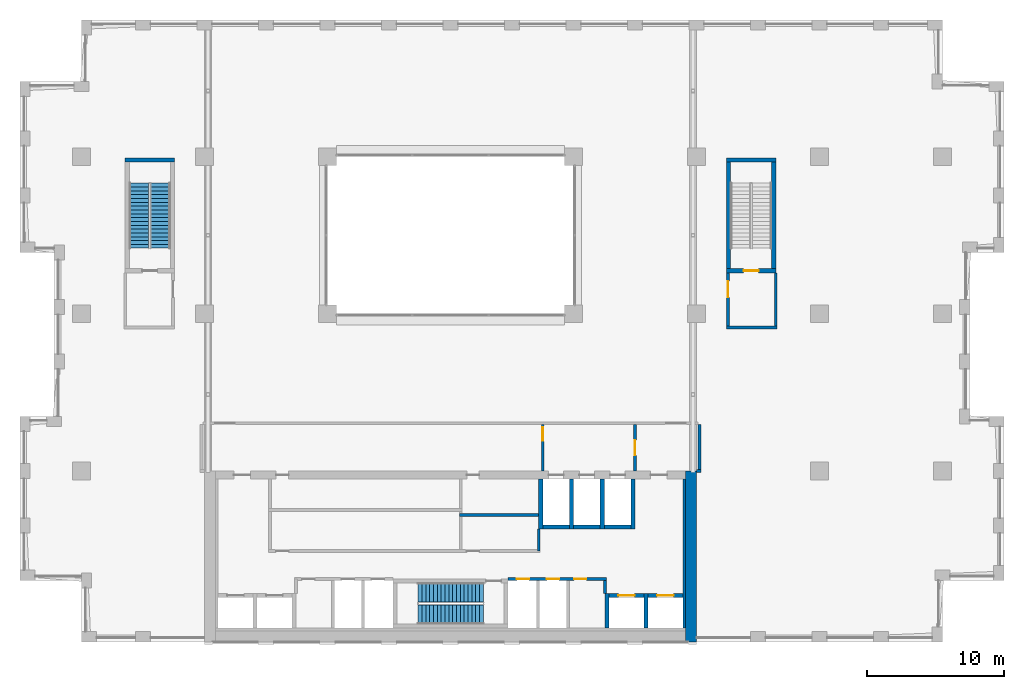
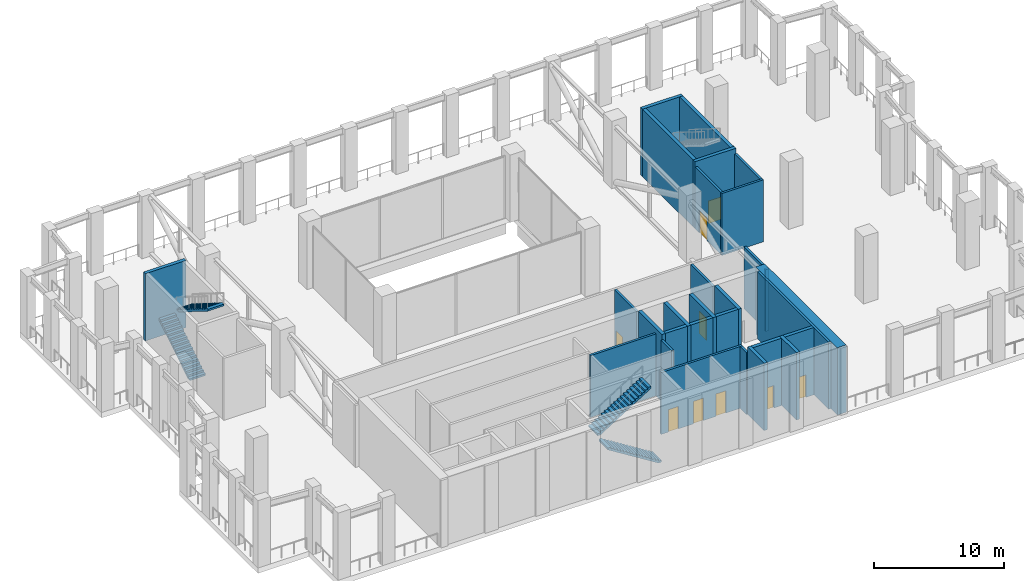
# One storey, part 11 of 14: 29 walls, 9 doors, 4 stair flights, 9 openings, 2 elements without a shape of their own.
"""IFC4 building model written with IfcOpenShell, lengths in metres."""

import ifcopenshell
import ifcopenshell.guid

model = None  # the IFC model being written
_history = None  # IfcOwnerHistory: only IFC2X3 demands one
_inside = {}  # id of a spatial element -> (the spatial element, [elements in it])
_under = {}  # id of a project, library or spatial element -> (it, [spatial elements below it])
_declared = {}  # id of a project -> (the project, [libraries it declares])
_typed = {}  # id of a type object -> (the type object, [elements of that type])
_made_of = {}  # id of a material, layer set ... -> (it, [elements and type objects made of it])


def new_model(schema):
    """Start an empty IFC model of exactly this schema.

    Asked for "IFC4X3", IfcOpenShell would pick the latest addendum, in which some entities
    have other attributes; the version numbers below select the first issue.
    IFC2X3 requires an IfcOwnerHistory on every rooted entity: one is made here for all.
    """
    global model, _history
    if schema == "IFC4X3":
        model = ifcopenshell.file(schema_version=(4, 3, 0, 0))
    else:
        model = ifcopenshell.file(schema=schema)
    _inside.clear()
    _under.clear()
    _declared.clear()
    _typed.clear()
    _made_of.clear()
    _history = None
    if model.schema == "IFC2X3":
        org = make("IfcOrganization", Name="unknown")
        user = make(
            "IfcPersonAndOrganization",
            ThePerson=make("IfcPerson", FamilyName="unknown"),
            TheOrganization=org,
        )
        app = make(
            "IfcApplication",
            ApplicationDeveloper=org,
            Version="unknown",
            ApplicationFullName="unknown",
            ApplicationIdentifier="unknown",
        )
        _history = make(
            "IfcOwnerHistory",
            OwningUser=user,
            OwningApplication=app,
            ChangeAction="ADDED",
            CreationDate=0,
        )
    return model


def make(cls, **values):
    """One entity of the class cls with the attributes given. An attribute that is None is left unset."""
    return model.create_entity(
        cls, **{name: value for name, value in values.items() if value is not None}
    )


def rooted(cls, **values):
    """An entity with a GlobalId (a new one), such as an element, a storey or a relation."""
    return make(cls, GlobalId=ifcopenshell.guid.new(), OwnerHistory=_history, **values)


def si_unit(unit_type, name, prefix=None):
    """IfcSIUnit, for example si_unit("LENGTHUNIT", "METRE", prefix="MILLI")."""
    return make("IfcSIUnit", UnitType=unit_type, Prefix=prefix, Name=name)


def assignment(units):
    """IfcUnitAssignment: the units of a project."""
    return None if units is None else make("IfcUnitAssignment", Units=units)


def point(xyz):
    """IfcCartesianPoint."""
    return None if xyz is None else make("IfcCartesianPoint", Coordinates=xyz)


def direction(xyz):
    """IfcDirection."""
    return None if xyz is None else make("IfcDirection", DirectionRatios=xyz)


def frame(location, z_axis=None, x_axis=None):
    """IfcAxis2Placement3D, a coordinate frame: its origin and axes. An axis left out is left unset."""
    return make(
        "IfcAxis2Placement3D",
        Location=point(location),
        Axis=direction(z_axis),
        RefDirection=direction(x_axis),
    )


def frame_2d(location, x_axis=None):
    """IfcAxis2Placement2D, a coordinate frame in the plane: its origin and x axis."""
    return make(
        "IfcAxis2Placement2D", Location=point(location), RefDirection=direction(x_axis)
    )


def origin():
    """The frame at (0, 0, 0) with its axes left unset."""
    return frame((0.0, 0.0, 0.0))


def place(relative_to, where):
    """IfcLocalPlacement: puts the frame where relative to a parent placement (None: the world)."""
    return make(
        "IfcLocalPlacement", PlacementRelTo=relative_to, RelativePlacement=where
    )


def context(
    kind, dimensions, precision=None, world=None, true_north=None, identifier=None
):
    """IfcGeometricRepresentationContext, for example the 3D "Model" context."""
    return make(
        "IfcGeometricRepresentationContext",
        ContextIdentifier=identifier,
        ContextType=kind,
        CoordinateSpaceDimension=dimensions,
        Precision=precision,
        WorldCoordinateSystem=world,
        TrueNorth=true_north,
    )


def subcontext(parent, identifier, kind, view, scale=None):
    """IfcGeometricRepresentationSubContext, for example "Body" below "Model"."""
    return make(
        "IfcGeometricRepresentationSubContext",
        ContextIdentifier=identifier,
        ContextType=kind,
        ParentContext=parent,
        TargetScale=scale,
        TargetView=view,
    )


def project(units=None, contexts=None):
    """IfcProject with its units and contexts."""
    return rooted(
        "IfcProject",
        Name="project",
        RepresentationContexts=contexts,
        UnitsInContext=assignment(units),
    )


def spatial(cls, under=None, at=None, **own):
    """A site, building, storey or space (cls), placed at a placement, below another one or the project."""
    s = rooted(cls, ObjectPlacement=at, **own)
    if under is not None:
        _under.setdefault(under.id(), (under, []))[1].append(s)
    return s


def polyline(points):
    """IfcPolyline through the points."""
    return make("IfcPolyline", Points=[point(p) for p in points])


def profile(cls, at=None, kind="AREA", **sizes):
    """A parametric profile (cls). Its sizes go by their IFC names, for example OverallWidth=200.0."""
    return make(cls, ProfileType=kind, Position=at, **sizes)


def rectangle(**sizes):
    """IfcRectangleProfileDef."""
    return profile("IfcRectangleProfileDef", **sizes)


def outline(outer, holes=None, kind="AREA"):
    """IfcArbitraryClosedProfileDef: a profile drawn as a closed curve; with holes, ...WithVoids."""
    if holes is None:
        return make("IfcArbitraryClosedProfileDef", ProfileType=kind, OuterCurve=outer)
    return make(
        "IfcArbitraryProfileDefWithVoids",
        ProfileType=kind,
        OuterCurve=outer,
        InnerCurves=holes,
    )


def extrude(swept, where, along, depth):
    """IfcExtrudedAreaSolid: the profile swept, set in the frame where, extruded along a direction by depth."""
    return make(
        "IfcExtrudedAreaSolid",
        SweptArea=swept,
        Position=where,
        ExtrudedDirection=direction(along),
        Depth=depth,
    )


def shape(context_of_items, identifier, shape_type, items):
    """IfcShapeRepresentation: the items that make up one representation, for example the "Body"."""
    return make(
        "IfcShapeRepresentation",
        ContextOfItems=context_of_items,
        RepresentationIdentifier=identifier,
        RepresentationType=shape_type,
        Items=items,
    )


def material(Name=None, Category=None):
    """IfcMaterial."""
    return make("IfcMaterial", Name=Name, Category=Category)


def layer(
    of_material, thickness, ventilated=None, Name=None, Category=None, Priority=None
):
    """IfcMaterialLayer: one layer of a wall or slab, of a material (None: an air gap)."""
    return make(
        "IfcMaterialLayer",
        Material=of_material,
        LayerThickness=thickness,
        IsVentilated=ventilated,
        Name=Name,
        Category=Category,
        Priority=Priority,
    )


def layer_set(layers, Name=None):
    """IfcMaterialLayerSet."""
    return make("IfcMaterialLayerSet", MaterialLayers=layers, LayerSetName=Name)


def made_of(thing, what):
    """Note that an element or type object is made of a material, layer set ...; save() writes the relation."""
    if what is not None:
        _made_of.setdefault(what.id(), (what, []))[1].append(thing)
    return thing


def type_object(cls, material=None, **own):
    """A type object (cls), such as IfcWallType, which elements share."""
    return made_of(rooted(cls, **own), material)


def element(
    cls,
    number,
    at=None,
    inside=None,
    cuts=None,
    type_object=None,
    material=None,
    context=None,
    identifier="Body",
    shape_type=None,
    held_by="IfcProductDefinitionShape",
    body=None,
    shapes=None,
    **own,
):
    """One element of the class cls, such as IfcWall. Its Tag is "e" and its number.

    at: its placement. inside: the storey or other place that contains it. cuts: it is an
    opening in that element (IfcRelVoidsElement). A single representation is given by context,
    identifier, shape_type and body (its items); several are given by shapes. held_by: the class
    of the entity that holds the representations. save() writes the other relations.
    """
    e = rooted(cls, Tag="e%d" % number, ObjectPlacement=at, **own)
    if body is not None:
        shapes = [shape(context, identifier, shape_type, body)]
    if shapes is not None:
        e.Representation = make(held_by, Representations=shapes)
    if inside is not None:
        _inside.setdefault(inside.id(), (inside, []))[1].append(e)
    if cuts is not None:
        rooted(
            "IfcRelVoidsElement", RelatingBuildingElement=cuts, RelatedOpeningElement=e
        )
    if type_object is not None:
        _typed.setdefault(type_object.id(), (type_object, []))[1].append(e)
    return made_of(e, material)


def fill(opening, filler):
    """IfcRelFillsElement: the door or window that sits in an opening."""
    return rooted(
        "IfcRelFillsElement",
        RelatingOpeningElement=opening,
        RelatedBuildingElement=filler,
    )


def aggregate(whole, parts):
    """IfcRelAggregates: a whole, such as a stair, and the parts it consists of."""
    return rooted("IfcRelAggregates", RelatingObject=whole, RelatedObjects=parts)


def save(model, path):
    """Write the relations noted so far, then the file.

    IfcRelAggregates (storeys below a building ...), IfcRelContainedInSpatialStructure (elements
    in a storey), IfcRelDefinesByType, IfcRelAssociatesMaterial and IfcRelDeclares: one each for
    every whole, place, type object, material and project.
    """
    for whole, parts in _under.values():
        aggregate(whole, parts)
    for where, things in _inside.values():
        rooted(
            "IfcRelContainedInSpatialStructure",
            RelatedElements=things,
            RelatingStructure=where,
        )
    for kind, things in _typed.values():
        rooted("IfcRelDefinesByType", RelatedObjects=things, RelatingType=kind)
    for what, things in _made_of.values():
        rooted("IfcRelAssociatesMaterial", RelatedObjects=things, RelatingMaterial=what)
    for by, libraries in _declared.values():
        rooted("IfcRelDeclares", RelatingContext=by, RelatedDefinitions=libraries)
    model.write(path)


model = new_model("IFC4")

# Units and contexts
model_context = context("Model", 3, precision=1e-05, world=origin(), true_north=direction((0.0, 1.0)))
body_context = subcontext(model_context, "Body", "Model", "MODEL_VIEW")
ifc_project = project(units=[si_unit("LENGTHUNIT", "METRE"), si_unit("AREAUNIT", "SQUARE_METRE"), si_unit("VOLUMEUNIT", "CUBIC_METRE"), si_unit("PLANEANGLEUNIT", "RADIAN"), si_unit("MASSUNIT", "GRAM", prefix="KILO")], contexts=[model_context])

# Site, building, storey
site_placement = place(None, origin())
site = spatial("IfcSite", under=ifc_project, at=site_placement, CompositionType="ELEMENT")
building_placement = place(site_placement, origin())
building = spatial("IfcBuilding", under=site, at=building_placement, Name="Brigalow Station Residences", CompositionType="ELEMENT")
storey_placement = place(building_placement, frame((0.0, 0.0, 130.800048828125)))
storey = spatial("IfcBuildingStorey", under=building, at=storey_placement, Name="L38", CompositionType="ELEMENT", Elevation=130.800048828125)

# Walls
ifc_material_1 = material(Name="Concrete C65", Category="concrete")
ifc_layer_1 = layer(ifc_material_1, 0.199951171875)
ifc_layer_set_1 = layer_set([ifc_layer_1], Name="CORE SHEAR WALL 200 C65")
wall_type_1 = type_object("IfcWallType", Name="CORE SHEAR WALL 200 C65", PredefinedType="SHEAR", material=ifc_layer_set_1)
wall_1_placement = place(storey_placement, frame((53.10009765625, 1.0, 0.0), z_axis=(0.0, 0.0, 1.0), x_axis=(0.0, 1.0, 0.0)))
element("IfcWall", 1, at=wall_1_placement, inside=storey, type_object=wall_type_1, Name="CORE WALL LIN-E L38", PredefinedType="SHEAR", context=body_context, shape_type="SweptSolid", body=[
    extrude(rectangle(XDim=10.89990234375, YDim=0.199951171875, at=frame_2d((5.449951171875, 0.0))), origin(), (0.0, 0.0, 1.0), 6.300048828125),
])
ifc_material_2 = material(Name="Concrete C65", Category="concrete")
ifc_layer_2 = layer(ifc_material_2, 0.300048828125)
ifc_layer_set_2 = layer_set([ifc_layer_2], Name="CORE SHEAR WALL 300 C65")
wall_type_2 = type_object("IfcWallType", Name="CORE SHEAR WALL 300 C65", PredefinedType="SHEAR", material=ifc_layer_set_2)
wall_2_placement = place(storey_placement, frame((42.75, 8.39990234375, 0.0), z_axis=(0.0, 0.0, 1.0), x_axis=(1.0, 0.0, 0.0)))
element("IfcWall", 2, at=wall_2_placement, inside=storey, type_object=wall_type_2, Name="CORE WALL SH-FF1-S L38", PredefinedType="SHEAR", context=body_context, shape_type="SweptSolid", body=[
    extrude(rectangle(XDim=1.949951171875, YDim=0.300048828125, at=frame_2d((0.97509765625, 0.0))), origin(), (0.0, 0.0, 1.0), 6.300048828125),
])
wall_3_placement = place(storey_placement, frame((42.60009765625, 8.25, 0.0), z_axis=(0.0, 0.0, 1.0), x_axis=(0.0, 1.0, 0.0)))
element("IfcWall", 3, at=wall_3_placement, inside=storey, type_object=wall_type_2, Name="CORE WALL SH-FF1-W L38", PredefinedType="SHEAR", context=body_context, shape_type="SweptSolid", body=[
    extrude(rectangle(XDim=3.64990234375, YDim=0.300048828125, at=frame_2d((1.824951171875, 0.0))), origin(), (0.0, 0.0, 1.0), 6.300048828125),
])
wall_4_placement = place(storey_placement, frame((45.0, 8.39990234375, 0.0), z_axis=(0.0, 0.0, 1.0), x_axis=(1.0, 0.0, 0.0)))
element("IfcWall", 4, at=wall_4_placement, inside=storey, type_object=wall_type_2, Name="CORE WALL SH-FF2-S L38", PredefinedType="SHEAR", context=body_context, shape_type="SweptSolid", body=[
    extrude(rectangle(XDim=1.949951171875, YDim=0.300048828125, at=frame_2d((0.97509765625, 0.0))), origin(), (0.0, 0.0, 1.0), 6.300048828125),
])
wall_5_placement = place(storey_placement, frame((44.85009765625, 8.25, 0.0), z_axis=(0.0, 0.0, 1.0), x_axis=(0.0, 1.0, 0.0)))
element("IfcWall", 5, at=wall_5_placement, inside=storey, type_object=wall_type_2, Name="CORE WALL SH-FF2-W L38", PredefinedType="SHEAR", context=body_context, shape_type="SweptSolid", body=[
    extrude(rectangle(XDim=3.64990234375, YDim=0.300048828125, at=frame_2d((1.824951171875, 0.0))), origin(), (0.0, 0.0, 1.0), 6.300048828125),
])
wall_6_placement = place(storey_placement, frame((47.25, 8.39990234375, 0.0), z_axis=(0.0, 0.0, 1.0), x_axis=(1.0, 0.0, 0.0)))
element("IfcWall", 6, at=wall_6_placement, inside=storey, type_object=wall_type_2, Name="CORE WALL SH-SL1-S L38", PredefinedType="SHEAR", context=body_context, shape_type="SweptSolid", body=[
    extrude(rectangle(XDim=1.949951171875, YDim=0.300048828125, at=frame_2d((0.97509765625, 0.0))), origin(), (0.0, 0.0, 1.0), 6.300048828125),
])
for number, where, z_axis, x_axis, name in (
    (7, (47.10009765625, 8.25, 0.0), (0.0, 0.0, 1.0), (0.0, 1.0, 0.0), "CORE WALL SH-SL1-W L38"),
    (8, (49.35009765625, 8.25, 0.0), (0.0, 0.0, 1.0), (0.0, 1.0, 0.0), "CORE WALL SH-SL1-E L38"),
):
    element("IfcWall", number, at=place(storey_placement, frame(where, z_axis=z_axis, x_axis=x_axis)), inside=storey, type_object=wall_type_2, Name=name, PredefinedType="SHEAR", context=body_context, shape_type="SweptSolid", body=[
        extrude(rectangle(XDim=3.64990234375, YDim=0.300048828125, at=frame_2d((1.824951171875, 0.0))), origin(), (0.0, 0.0, 1.0), 6.300048828125),
    ])

# Wall, opening, door
wall_7_placement = place(storey_placement, frame((47.60009765625, 3.39990234375, 0.0), z_axis=(0.0, 0.0, 1.0), x_axis=(1.0, 0.0, 0.0)))
wall_7 = element("IfcWall", 9, at=wall_7_placement, inside=storey, type_object=wall_type_2, Name="CORE WALL SH-C3-N L38", PredefinedType="SHEAR", context=body_context, shape_type="SweptSolid", body=[
    extrude(rectangle(XDim=2.5498046875, YDim=0.300048828125, at=frame_2d((1.27490234375, 0.0))), origin(), (0.0, 0.0, 1.0), 6.300048828125),
])
opening_1_placement = place(wall_7_placement, frame((0.675048828125, 0.0, 0.0)))
opening_1 = element("IfcOpeningElement", 10, at=opening_1_placement, cuts=wall_7, Name="Opening LD-LB3", PredefinedType="OPENING", context=body_context, shape_type="SweptSolid", body=[
    extrude(rectangle(XDim=1.199951171875, YDim=2.10009765625, at=frame_2d((0.60009765625, 1.050048828125))), frame((0.0, 0.16015625, 0.0), z_axis=(0.0, -1.0, 0.0), x_axis=(1.0, 0.0, 0.0)), (0.0, 0.0, 1.0), 0.320068359375),
])
ifc_material_3 = material(Name="Stainless steel sliding door leaves", Category="steel")
door_type_1 = type_object("IfcDoorType", Name="LIFT LANDING DOOR 1200 x 2100", OperationType="DOUBLE_DOOR_SLIDING", PredefinedType="DOOR", material=ifc_material_3)
door_1_placement = place(opening_1_placement, origin())
door_1 = element("IfcDoor", 11, at=door_1_placement, inside=storey, type_object=door_type_1, Name="LANDING DOOR LB3", OperationType="DOUBLE_DOOR_SLIDING", OverallHeight=2.10009765625, OverallWidth=1.199951171875, PredefinedType="DOOR", context=body_context, shape_type="SweptSolid", body=[
    extrude(rectangle(XDim=1.199951171875, YDim=2.10009765625, at=frame_2d((0.60009765625, 1.050048828125))), frame((0.0, 0.02490234375, 0.0), z_axis=(0.0, -1.0, 0.0), x_axis=(1.0, 0.0, 0.0)), (0.0, 0.0, 1.0), 0.050048828125),
])
fill(opening_1, door_1)

# Wall
wall_8_placement = place(storey_placement, frame((47.449951171875, 1.0, 0.0), z_axis=(0.0, 0.0, 1.0), x_axis=(0.0, 1.0, 0.0)))
element("IfcWall", 12, at=wall_8_placement, inside=storey, type_object=wall_type_2, Name="CORE WALL SH-C3-W L38", PredefinedType="SHEAR", context=body_context, shape_type="SweptSolid", body=[
    extrude(rectangle(XDim=2.550048828125, YDim=0.300048828125, at=frame_2d((1.27490234375, 0.0))), origin(), (0.0, 0.0, 1.0), 6.300048828125),
])

# Wall, opening, door
wall_9_placement = place(storey_placement, frame((50.449951171875, 3.39990234375, 0.0), z_axis=(0.0, 0.0, 1.0), x_axis=(1.0, 0.0, 0.0)))
wall_9 = element("IfcWall", 13, at=wall_9_placement, inside=storey, type_object=wall_type_2, Name="CORE WALL SH-C4-N L38", PredefinedType="SHEAR", context=body_context, shape_type="SweptSolid", body=[
    extrude(rectangle(XDim=2.550048828125, YDim=0.300048828125, at=frame_2d((1.27490234375, 0.0))), origin(), (0.0, 0.0, 1.0), 6.300048828125),
])
opening_2_placement = place(wall_9_placement, frame((0.675048828125, 0.0, 0.0)))
opening_2 = element("IfcOpeningElement", 14, at=opening_2_placement, cuts=wall_9, Name="Opening LD-LB4", PredefinedType="OPENING", context=body_context, shape_type="SweptSolid", body=[
    extrude(rectangle(XDim=1.199951171875, YDim=2.10009765625, at=frame_2d((0.60009765625, 1.050048828125))), frame((0.0, 0.16015625, 0.0), z_axis=(0.0, -1.0, 0.0), x_axis=(1.0, 0.0, 0.0)), (0.0, 0.0, 1.0), 0.320068359375),
])
door_2_placement = place(opening_2_placement, origin())
door_2 = element("IfcDoor", 15, at=door_2_placement, inside=storey, type_object=door_type_1, Name="LANDING DOOR LB4", OperationType="DOUBLE_DOOR_SLIDING", OverallHeight=2.10009765625, OverallWidth=1.199951171875, PredefinedType="DOOR", context=body_context, shape_type="SweptSolid", body=[
    extrude(rectangle(XDim=1.199951171875, YDim=2.10009765625, at=frame_2d((0.60009765625, 1.050048828125))), frame((0.0, 0.02490234375, 0.0), z_axis=(0.0, -1.0, 0.0), x_axis=(1.0, 0.0, 0.0)), (0.0, 0.0, 1.0), 0.050048828125),
])
fill(opening_2, door_2)

# Walls
wall_10_placement = place(storey_placement, frame((50.300048828125, 1.0, 0.0), z_axis=(0.0, 0.0, 1.0), x_axis=(0.0, 1.0, 0.0)))
element("IfcWall", 16, at=wall_10_placement, inside=storey, type_object=wall_type_2, Name="CORE WALL SH-C4-W L38", PredefinedType="SHEAR", context=body_context, shape_type="SweptSolid", body=[
    extrude(rectangle(XDim=2.550048828125, YDim=0.300048828125, at=frame_2d((1.27490234375, 0.0))), origin(), (0.0, 0.0, 1.0), 6.300048828125),
])
wall_11_placement = place(storey_placement, frame((12.199951171875, 35.25, 0.0), z_axis=(0.0, 0.0, 1.0), x_axis=(1.0, 0.0, 0.0)))
element("IfcWall", 17, at=wall_11_placement, inside=storey, type_object=wall_type_2, Name="CORE WALL ST-S1-N L38", PredefinedType="SHEAR", context=body_context, shape_type="SweptSolid", body=[
    extrude(rectangle(XDim=3.60009765625, YDim=0.300048828125, at=frame_2d((1.800048828125, 0.0))), origin(), (0.0, 0.0, 1.0), 6.300048828125),
])

# Wall, opening, door
wall_12_placement = place(storey_placement, frame((56.199951171875, 27.14990234375, 0.0), z_axis=(0.0, 0.0, 1.0), x_axis=(1.0, 0.0, 0.0)))
wall_12 = element("IfcWall", 18, at=wall_12_placement, inside=storey, type_object=wall_type_2, Name="CORE WALL ST-S3-S L38", PredefinedType="SHEAR", context=body_context, shape_type="SweptSolid", body=[
    extrude(rectangle(XDim=3.60009765625, YDim=0.300048828125, at=frame_2d((1.800048828125, 0.0))), origin(), (0.0, 0.0, 1.0), 6.300048828125),
])
opening_3_placement = place(wall_12_placement, frame((1.25, 0.0, 0.0)))
opening_3 = element("IfcOpeningElement", 19, at=opening_3_placement, cuts=wall_12, Name="Opening D-5018", PredefinedType="OPENING", context=body_context, shape_type="SweptSolid", body=[
    extrude(rectangle(XDim=1.10009765625, YDim=2.10009765625, at=frame_2d((0.550048828125, 1.050048828125))), frame((0.0, 0.16015625, 0.0), z_axis=(0.0, -1.0, 0.0), x_axis=(1.0, 0.0, 0.0)), (0.0, 0.0, 1.0), 0.320068359375),
])
ifc_material_4 = material(Name="Steel fire door leaf in steel frame", Category="steel")
door_type_2 = type_object("IfcDoorType", Name="STAIR DOOR 1100 x 2100 FD60S", OperationType="SINGLE_SWING_LEFT", PredefinedType="DOOR", material=ifc_material_4)
door_3_placement = place(opening_3_placement, origin())
door_3 = element("IfcDoor", 20, at=door_3_placement, inside=storey, type_object=door_type_2, Name="D-5018", OperationType="SINGLE_SWING_LEFT", OverallHeight=2.10009765625, OverallWidth=1.10009765625, PredefinedType="DOOR", context=body_context, shape_type="SweptSolid", body=[
    extrude(rectangle(XDim=1.10009765625, YDim=2.10009765625, at=frame_2d((0.550048828125, 1.050048828125))), frame((0.0, 0.02490234375, 0.0), z_axis=(0.0, -1.0, 0.0), x_axis=(1.0, 0.0, 0.0)), (0.0, 0.0, 1.0), 0.050048828125),
])
fill(opening_3, door_3)

# Walls
wall_13_placement = place(storey_placement, frame((56.199951171875, 35.25, 0.0), z_axis=(0.0, 0.0, 1.0), x_axis=(1.0, 0.0, 0.0)))
element("IfcWall", 21, at=wall_13_placement, inside=storey, type_object=wall_type_2, Name="CORE WALL ST-S3-N L38", PredefinedType="SHEAR", context=body_context, shape_type="SweptSolid", body=[
    extrude(rectangle(XDim=3.60009765625, YDim=0.300048828125, at=frame_2d((1.800048828125, 0.0))), origin(), (0.0, 0.0, 1.0), 6.300048828125),
])
for number, where, z_axis, x_axis, name in (
    (22, (56.35009765625, 27.300048828125, 0.0), (0.0, 0.0, 1.0), (0.0, 1.0, 0.0), "CORE WALL ST-S3-W L38"),
    (23, (59.64990234375, 27.300048828125, 0.0), (0.0, 0.0, 1.0), (0.0, 1.0, 0.0), "CORE WALL ST-S3-E L38"),
):
    element("IfcWall", number, at=place(storey_placement, frame(where, z_axis=z_axis, x_axis=x_axis)), inside=storey, type_object=wall_type_2, Name=name, PredefinedType="SHEAR", context=body_context, shape_type="SweptSolid", body=[
        extrude(rectangle(XDim=7.800048828125, YDim=0.300048828125, at=frame_2d((3.89990234375, 0.0))), origin(), (0.0, 0.0, 1.0), 6.300048828125),
    ])
ifc_material_5 = material(Name="Concrete C65", Category="concrete")
ifc_layer_3 = layer(ifc_material_5, 0.800048828125)
ifc_layer_set_3 = layer_set([ifc_layer_3], Name="CORE SHEAR WALL 800 C65")
wall_type_3 = type_object("IfcWallType", Name="CORE SHEAR WALL 800 C65", PredefinedType="SHEAR", material=ifc_layer_set_3)
wall_14_placement = place(storey_placement, frame((53.60009765625, 0.0, 0.0), z_axis=(0.0, 0.0, 1.0), x_axis=(0.0, 1.0, 0.0)))
element("IfcWall", 24, at=wall_14_placement, inside=storey, type_object=wall_type_3, Name="CORE WALL OUT-E L38", PredefinedType="SHEAR", context=body_context, shape_type="SweptSolid", body=[
    extrude(rectangle(XDim=12.5, YDim=0.800048828125, at=frame_2d((6.25, 0.0))), origin(), (0.0, 0.0, 1.0), 6.300048828125),
])

# Wall, openings, doors
ifc_material_6 = material(Name="Concrete blockwork", Category="masonry")
ifc_layer_4 = layer(ifc_material_6, 0.199951171875)
ifc_layer_set_4 = layer_set([ifc_layer_4], Name="FIRE RATED CORE PARTITION 200")
wall_type_4 = type_object("IfcWallType", Name="FIRE RATED CORE PARTITION 200", PredefinedType="PARTITIONING", material=ifc_layer_set_4)
wall_15_placement = place(storey_placement, frame((40.199951171875, 4.60009765625, 0.0), z_axis=(0.0, 0.0, 1.0), x_axis=(1.0, 0.0, 0.0)))
wall_15 = element("IfcWall", 25, at=wall_15_placement, inside=storey, type_object=wall_type_4, Name="PW-5244", PredefinedType="PARTITIONING", context=body_context, shape_type="SweptSolid", body=[
    extrude(rectangle(XDim=7.199951171875, YDim=0.199951171875, at=frame_2d((3.60009765625, 0.0))), origin(), (0.0, 0.0, 1.0), 5.800048828125),
])
opening_4_placement = place(wall_15_placement, frame((4.85009765625, 0.0, 0.0)))
opening_4 = element("IfcOpeningElement", 26, at=opening_4_placement, cuts=wall_15, Name="Opening D-5005", PredefinedType="OPENING", context=body_context, shape_type="SweptSolid", body=[
    extrude(rectangle(XDim=0.89990234375, YDim=2.10009765625, at=frame_2d((0.449951171875, 1.050048828125))), frame((0.0, 0.10986328125, 0.0), z_axis=(0.0, -1.0, 0.0), x_axis=(1.0, 0.0, 0.0)), (0.0, 0.0, 1.0), 0.219970703125),
])
opening_5_placement = place(wall_15_placement, frame((0.64990234375, 0.0, 0.0)))
opening_5 = element("IfcOpeningElement", 27, at=opening_5_placement, cuts=wall_15, Name="Opening D-5009", PredefinedType="OPENING", context=body_context, shape_type="SweptSolid", body=[
    extrude(rectangle(XDim=0.89990234375, YDim=2.10009765625, at=frame_2d((0.449951171875, 1.050048828125))), frame((0.0, 0.10986328125, 0.0), z_axis=(0.0, -1.0, 0.0), x_axis=(1.0, 0.0, 0.0)), (0.0, 0.0, 1.0), 0.219970703125),
])
opening_6_placement = place(wall_15_placement, frame((2.85009765625, 0.0, 0.0)))
opening_6 = element("IfcOpeningElement", 28, at=opening_6_placement, cuts=wall_15, Name="Opening D-5010", PredefinedType="OPENING", context=body_context, shape_type="SweptSolid", body=[
    extrude(rectangle(XDim=0.89990234375, YDim=2.10009765625, at=frame_2d((0.449951171875, 1.050048828125))), frame((0.0, 0.10986328125, 0.0), z_axis=(0.0, -1.0, 0.0), x_axis=(1.0, 0.0, 0.0)), (0.0, 0.0, 1.0), 0.219970703125),
])
ifc_material_7 = material(Name="Steel fire door leaf in steel frame", Category="steel")
door_type_3 = type_object("IfcDoorType", Name="PLANT ROOM DOOR 900 x 2100 FD60", OperationType="SINGLE_SWING_LEFT", PredefinedType="DOOR", material=ifc_material_7)
door_4_placement = place(opening_4_placement, frame((0.89990234375, 0.0, 0.0), z_axis=(0.0, 0.0, 1.0), x_axis=(-1.0, 0.0, 0.0)))
door_4 = element("IfcDoor", 29, at=door_4_placement, inside=storey, type_object=door_type_3, Name="D-5005", OperationType="SINGLE_SWING_RIGHT", OverallHeight=2.10009765625, OverallWidth=0.89990234375, PredefinedType="DOOR", context=body_context, shape_type="SweptSolid", body=[
    extrude(rectangle(XDim=0.89990234375, YDim=2.10009765625, at=frame_2d((0.449951171875, 1.050048828125))), frame((0.0, 0.02490234375, 0.0), z_axis=(0.0, -1.0, 0.0), x_axis=(1.0, 0.0, 0.0)), (0.0, 0.0, 1.0), 0.050048828125),
])
fill(opening_4, door_4)
ifc_material_8 = material(Name="Steel fire door leaf in steel frame", Category="steel")
door_type_4 = type_object("IfcDoorType", Name="RISER ACCESS DOOR 900 x 2100 FD120", OperationType="SINGLE_SWING_LEFT", PredefinedType="DOOR", material=ifc_material_8)
door_5_placement = place(opening_5_placement, frame((0.89990234375, 0.0, 0.0), z_axis=(0.0, 0.0, 1.0), x_axis=(-1.0, 0.0, 0.0)))
door_5 = element("IfcDoor", 30, at=door_5_placement, inside=storey, type_object=door_type_4, Name="D-5009", OperationType="SINGLE_SWING_LEFT", OverallHeight=2.10009765625, OverallWidth=0.89990234375, PredefinedType="DOOR", context=body_context, shape_type="SweptSolid", body=[
    extrude(rectangle(XDim=0.89990234375, YDim=2.10009765625, at=frame_2d((0.449951171875, 1.050048828125))), frame((0.0, 0.02490234375, 0.0), z_axis=(0.0, -1.0, 0.0), x_axis=(1.0, 0.0, 0.0)), (0.0, 0.0, 1.0), 0.050048828125),
])
fill(opening_5, door_5)
door_6_placement = place(opening_6_placement, frame((0.89990234375, 0.0, 0.0), z_axis=(0.0, 0.0, 1.0), x_axis=(-1.0, 0.0, 0.0)))
door_6 = element("IfcDoor", 31, at=door_6_placement, inside=storey, type_object=door_type_4, Name="D-5010", OperationType="SINGLE_SWING_RIGHT", OverallHeight=2.10009765625, OverallWidth=0.89990234375, PredefinedType="DOOR", context=body_context, shape_type="SweptSolid", body=[
    extrude(rectangle(XDim=0.89990234375, YDim=2.10009765625, at=frame_2d((0.449951171875, 1.050048828125))), frame((0.0, 0.02490234375, 0.0), z_axis=(0.0, -1.0, 0.0), x_axis=(1.0, 0.0, 0.0)), (0.0, 0.0, 1.0), 0.050048828125),
])
fill(opening_6, door_6)

# Walls
wall_16_placement = place(storey_placement, frame((36.64990234375, 9.27490234375, 0.0), z_axis=(0.0, 0.0, 1.0), x_axis=(1.0, 0.0, 0.0)))
element("IfcWall", 32, at=wall_16_placement, inside=storey, type_object=wall_type_4, Name="PW-5246", PredefinedType="PARTITIONING", context=body_context, shape_type="SweptSolid", body=[
    extrude(rectangle(XDim=5.800048828125, YDim=0.199951171875, at=frame_2d((2.89990234375, 0.0))), origin(), (0.0, 0.0, 1.0), 5.800048828125),
])
wall_17_placement = place(storey_placement, frame((54.0, 12.5, 0.0), z_axis=(0.0, 0.0, 1.0), x_axis=(1.0, 0.0, 0.0)))
element("IfcWall", 33, at=wall_17_placement, inside=storey, type_object=wall_type_4, Name="PW-5249", PredefinedType="PARTITIONING", context=body_context, shape_type="SweptSolid", body=[
    extrude(rectangle(XDim=0.320068359375, YDim=0.199951171875, at=frame_2d((0.16015625, 0.0))), origin(), (0.0, 0.0, 1.0), 5.800048828125),
])
wall_18_placement = place(storey_placement, frame((56.199951171875, 23.0, 0.0), z_axis=(0.0, 0.0, 1.0), x_axis=(1.0, 0.0, 0.0)))
element("IfcWall", 34, at=wall_18_placement, inside=storey, type_object=wall_type_4, Name="PW-5351", PredefinedType="PARTITIONING", context=body_context, shape_type="SweptSolid", body=[
    extrude(rectangle(XDim=3.699951171875, YDim=0.199951171875, at=frame_2d((1.85009765625, 0.0))), origin(), (0.0, 0.0, 1.0), 5.800048828125),
])
wall_19_placement = place(storey_placement, frame((47.300048828125, 3.550048828125, 0.0), z_axis=(0.0, 0.0, 1.0), x_axis=(0.0, 1.0, 0.0)))
element("IfcWall", 35, at=wall_19_placement, inside=storey, type_object=wall_type_4, Name="PW-5251", PredefinedType="PARTITIONING", context=body_context, shape_type="SweptSolid", body=[
    extrude(rectangle(XDim=0.949951171875, YDim=0.199951171875, at=frame_2d((0.47509765625, 0.0))), origin(), (0.0, 0.0, 1.0), 5.800048828125),
])
wall_20_placement = place(storey_placement, frame((42.449951171875, 6.64990234375, 0.0), z_axis=(0.0, 0.0, 1.0), x_axis=(0.0, 1.0, 0.0)))
element("IfcWall", 36, at=wall_20_placement, inside=storey, type_object=wall_type_4, Name="PW-5011", PredefinedType="PARTITIONING", context=body_context, shape_type="SweptSolid", body=[
    extrude(rectangle(XDim=1.60009765625, YDim=0.199951171875, at=frame_2d((0.800048828125, 0.0))), origin(), (0.0, 0.0, 1.0), 5.800048828125),
])

# Wall, opening, door
wall_21_placement = place(storey_placement, frame((42.75, 12.5, 0.0), z_axis=(0.0, 0.0, 1.0), x_axis=(0.0, 1.0, 0.0)))
wall_21 = element("IfcWall", 37, at=wall_21_placement, inside=storey, type_object=wall_type_4, Name="PW-5014", PredefinedType="PARTITIONING", context=body_context, shape_type="SweptSolid", body=[
    extrude(rectangle(XDim=3.39990234375, YDim=0.199951171875, at=frame_2d((1.699951171875, 0.0))), origin(), (0.0, 0.0, 1.0), 5.800048828125),
])
opening_7_placement = place(wall_21_placement, frame((2.199951171875, 0.0, 0.0)))
opening_7 = element("IfcOpeningElement", 38, at=opening_7_placement, cuts=wall_21, Name="Opening D-5013", PredefinedType="OPENING", context=body_context, shape_type="SweptSolid", body=[
    extrude(rectangle(XDim=1.0, YDim=2.10009765625, at=frame_2d((0.5, 1.050048828125))), frame((0.0, 0.10986328125, 0.0), z_axis=(0.0, -1.0, 0.0), x_axis=(1.0, 0.0, 0.0)), (0.0, 0.0, 1.0), 0.219970703125),
])
ifc_material_9 = material(Name="Steel fire door leaf in steel frame", Category="steel")
door_type_5 = type_object("IfcDoorType", Name="LOBBY DOOR 1000 x 2100 FD60S", OperationType="SINGLE_SWING_LEFT", PredefinedType="DOOR", material=ifc_material_9)
door_7_placement = place(opening_7_placement, origin())
door_7 = element("IfcDoor", 39, at=door_7_placement, inside=storey, type_object=door_type_5, Name="D-5013", OperationType="SINGLE_SWING_RIGHT", OverallHeight=2.10009765625, OverallWidth=1.0, PredefinedType="DOOR", context=body_context, shape_type="SweptSolid", body=[
    extrude(rectangle(XDim=1.0, YDim=2.10009765625, at=frame_2d((0.5, 1.050048828125))), frame((0.0, 0.02490234375, 0.0), z_axis=(0.0, -1.0, 0.0), x_axis=(1.0, 0.0, 0.0)), (0.0, 0.0, 1.0), 0.050048828125),
])
fill(opening_7, door_7)

wall_22_placement = place(storey_placement, frame((49.5, 12.5, 0.0), z_axis=(0.0, 0.0, 1.0), x_axis=(0.0, 1.0, 0.0)))
wall_22 = element("IfcWall", 40, at=wall_22_placement, inside=storey, type_object=wall_type_4, Name="PW-5015", PredefinedType="PARTITIONING", context=body_context, shape_type="SweptSolid", body=[
    extrude(rectangle(XDim=3.39990234375, YDim=0.199951171875, at=frame_2d((1.699951171875, 0.0))), origin(), (0.0, 0.0, 1.0), 5.800048828125),
])
opening_8_placement = place(wall_22_placement, frame((1.14990234375, 0.0, 0.0)))
opening_8 = element("IfcOpeningElement", 41, at=opening_8_placement, cuts=wall_22, Name="Opening D-5014", PredefinedType="OPENING", context=body_context, shape_type="SweptSolid", body=[
    extrude(rectangle(XDim=1.10009765625, YDim=2.10009765625, at=frame_2d((0.550048828125, 1.050048828125))), frame((0.0, 0.10986328125, 0.0), z_axis=(0.0, -1.0, 0.0), x_axis=(1.0, 0.0, 0.0)), (0.0, 0.0, 1.0), 0.219970703125),
])
ifc_material_10 = material(Name="Steel fire door leaf in steel frame", Category="steel")
door_type_6 = type_object("IfcDoorType", Name="LOBBY DOOR 1100 x 2100 FD60S", OperationType="SINGLE_SWING_LEFT", PredefinedType="DOOR", material=ifc_material_10)
door_8_placement = place(opening_8_placement, origin())
door_8 = element("IfcDoor", 42, at=door_8_placement, inside=storey, type_object=door_type_6, Name="D-5014", OperationType="SINGLE_SWING_RIGHT", OverallHeight=2.10009765625, OverallWidth=1.10009765625, PredefinedType="DOOR", context=body_context, shape_type="SweptSolid", body=[
    extrude(rectangle(XDim=1.10009765625, YDim=2.10009765625, at=frame_2d((0.550048828125, 1.050048828125))), frame((0.0, 0.02490234375, 0.0), z_axis=(0.0, -1.0, 0.0), x_axis=(1.0, 0.0, 0.0)), (0.0, 0.0, 1.0), 0.050048828125),
])
fill(opening_8, door_8)

# Wall
wall_23_placement = place(storey_placement, frame((54.219970703125, 12.60009765625, 0.0), z_axis=(0.0, 0.0, 1.0), x_axis=(0.0, 1.0, 0.0)))
element("IfcWall", 43, at=wall_23_placement, inside=storey, type_object=wall_type_4, Name="PW-5258", PredefinedType="PARTITIONING", context=body_context, shape_type="SweptSolid", body=[
    extrude(rectangle(XDim=3.2998046875, YDim=0.199951171875, at=frame_2d((1.64990234375, 0.0))), origin(), (0.0, 0.0, 1.0), 5.800048828125),
])

# Wall, opening, door
wall_24_placement = place(storey_placement, frame((56.300048828125, 23.0, 0.0), z_axis=(0.0, 0.0, 1.0), x_axis=(0.0, 1.0, 0.0)))
wall_24 = element("IfcWall", 44, at=wall_24_placement, inside=storey, type_object=wall_type_4, Name="PW-5352", PredefinedType="PARTITIONING", context=body_context, shape_type="SweptSolid", body=[
    extrude(rectangle(XDim=4.0, YDim=0.199951171875, at=frame_2d((2.0, 0.0))), origin(), (0.0, 0.0, 1.0), 5.800048828125),
])
opening_9_placement = place(wall_24_placement, frame((2.199951171875, 0.0, 0.0)))
opening_9 = element("IfcOpeningElement", 45, at=opening_9_placement, cuts=wall_24, Name="Opening D-5178", PredefinedType="OPENING", context=body_context, shape_type="SweptSolid", body=[
    extrude(rectangle(XDim=1.199951171875, YDim=2.10009765625, at=frame_2d((0.60009765625, 1.050048828125))), frame((0.0, 0.10986328125, 0.0), z_axis=(0.0, -1.0, 0.0), x_axis=(1.0, 0.0, 0.0)), (0.0, 0.0, 1.0), 0.219970703125),
])
ifc_material_11 = material(Name="Steel fire door leaf in steel frame", Category="steel")
door_type_7 = type_object("IfcDoorType", Name="STAIR LOBBY DOOR 1200 x 2100 FD60S", OperationType="SINGLE_SWING_LEFT", PredefinedType="DOOR", material=ifc_material_11)
door_9_placement = place(opening_9_placement, origin())
door_9 = element("IfcDoor", 46, at=door_9_placement, inside=storey, type_object=door_type_7, Name="D-5178", OperationType="SINGLE_SWING_LEFT", OverallHeight=2.10009765625, OverallWidth=1.199951171875, PredefinedType="DOOR", context=body_context, shape_type="SweptSolid", body=[
    extrude(rectangle(XDim=1.199951171875, YDim=2.10009765625, at=frame_2d((0.60009765625, 1.050048828125))), frame((0.0, 0.02490234375, 0.0), z_axis=(0.0, -1.0, 0.0), x_axis=(1.0, 0.0, 0.0)), (0.0, 0.0, 1.0), 0.050048828125),
])
fill(opening_9, door_9)

# Wall
wall_25_placement = place(storey_placement, frame((59.800048828125, 23.10009765625, 0.0), z_axis=(0.0, 0.0, 1.0), x_axis=(0.0, 1.0, 0.0)))
element("IfcWall", 47, at=wall_25_placement, inside=storey, type_object=wall_type_4, Name="PW-5037", PredefinedType="PARTITIONING", context=body_context, shape_type="SweptSolid", body=[
    extrude(rectangle(XDim=3.89990234375, YDim=0.199951171875, at=frame_2d((1.949951171875, 0.0))), origin(), (0.0, 0.0, 1.0), 5.800048828125),
])

# Stair, stair flights
ifc_material_12 = material(Name="Concrete C50", Category="concrete")
stair_type = type_object("IfcStairType", Name="EXIT STAIR 1400 2 FLIGHT", PredefinedType="HALF_TURN_STAIR", material=ifc_material_12)
stair_1_placement = place(storey_placement, origin())
stair_1 = element("IfcStair", 48, at=stair_1_placement, inside=storey, type_object=stair_type, Name="EXIT STAIR S2 L38", PredefinedType="HALF_TURN_STAIR")
ifc_material_13 = material(Name="Concrete C50", Category="concrete")
stair_flight_type = type_object("IfcStairFlightType", Name="STAIR FLIGHT 1400", PredefinedType="STRAIGHT", material=ifc_material_13)
stair_flight_1_placement = place(storey_placement, frame((38.39990234375, 2.0, 0.0), z_axis=(0.0, 0.0, 1.0), x_axis=(-1.0, 0.0, 0.0)))
stair_flight_1 = element("IfcStairFlight", 49, at=stair_flight_1_placement, type_object=stair_flight_type, Name="ST-2 flight 1", NumberOfRisers=18, NumberOfTreads=17, PredefinedType="STRAIGHT", RiserHeight=0.175, TreadLength=0.28, context=body_context, shape_type="SweptSolid", body=[
    extrude(outline(polyline([(0.0, 0.0), (0.0, 0.175048828125), (0.280029296875, 0.175048828125), (0.280029296875, 0.35009765625), (0.56005859375, 0.35009765625), (0.56005859375, 0.52490234375), (0.840087890625, 0.52490234375), (0.840087890625, 0.699951171875), (1.1201171875, 0.699951171875), (1.1201171875, 0.875), (1.39990234375, 0.875), (1.39990234375, 1.050048828125), (1.679931640625, 1.050048828125), (1.679931640625, 1.22509765625), (1.9599609375, 1.22509765625), (1.9599609375, 1.39990234375), (2.239990234375, 1.39990234375), (2.239990234375, 1.574951171875), (2.52001953125, 1.574951171875), (2.52001953125, 1.75), (2.800048828125, 1.75), (2.800048828125, 1.925048828125), (3.080078125, 1.925048828125), (3.080078125, 2.10009765625), (3.360107421875, 2.10009765625), (3.360107421875, 2.27490234375), (3.639892578125, 2.27490234375), (3.639892578125, 2.449951171875), (3.919921875, 2.449951171875), (3.919921875, 2.625), (4.199951171875, 2.625), (4.199951171875, 2.800048828125), (4.47998046875, 2.800048828125), (4.47998046875, 2.97509765625), (4.760009765625, 2.97509765625), (4.760009765625, 3.14990234375), (4.760009765625, 2.79833984375), (0.28271484375, 0.0), (0.0, 0.0)])), frame((0.0, 0.699951171875, 0.0), z_axis=(0.0, -1.0, 0.0), x_axis=(1.0, 0.0, 0.0)), (0.0, 0.0, 1.0), 1.39990234375),
])
stair_flight_2_placement = place(storey_placement, frame((33.639892578125, 3.60009765625, 3.14990234375), z_axis=(0.0, 0.0, 1.0), x_axis=(1.0, 0.0, 0.0)))
stair_flight_2 = element("IfcStairFlight", 50, at=stair_flight_2_placement, type_object=stair_flight_type, Name="ST-2 flight 2", NumberOfRisers=18, NumberOfTreads=17, PredefinedType="STRAIGHT", RiserHeight=0.175, TreadLength=0.28, context=body_context, shape_type="SweptSolid", body=[
    extrude(outline(polyline([(0.0, 0.0), (0.0, 0.175048828125), (0.280029296875, 0.175048828125), (0.280029296875, 0.35009765625), (0.56005859375, 0.35009765625), (0.56005859375, 0.52490234375), (0.840087890625, 0.52490234375), (0.840087890625, 0.699951171875), (1.1201171875, 0.699951171875), (1.1201171875, 0.875), (1.39990234375, 0.875), (1.39990234375, 1.050048828125), (1.679931640625, 1.050048828125), (1.679931640625, 1.22509765625), (1.9599609375, 1.22509765625), (1.9599609375, 1.39990234375), (2.239990234375, 1.39990234375), (2.239990234375, 1.574951171875), (2.52001953125, 1.574951171875), (2.52001953125, 1.75), (2.800048828125, 1.75), (2.800048828125, 1.925048828125), (3.080078125, 1.925048828125), (3.080078125, 2.10009765625), (3.360107421875, 2.10009765625), (3.360107421875, 2.27490234375), (3.639892578125, 2.27490234375), (3.639892578125, 2.449951171875), (3.919921875, 2.449951171875), (3.919921875, 2.625), (4.199951171875, 2.625), (4.199951171875, 2.800048828125), (4.47998046875, 2.800048828125), (4.47998046875, 2.97509765625), (4.760009765625, 2.97509765625), (4.760009765625, 3.14990234375), (4.760009765625, 2.79833984375), (0.28271484375, 0.0), (0.0, 0.0)])), frame((0.0, 0.699951171875, 0.0), z_axis=(0.0, -1.0, 0.0), x_axis=(1.0, 0.0, 0.0)), (0.0, 0.0, 1.0), 1.39990234375),
])
aggregate(stair_1, [stair_flight_1, stair_flight_2])

stair_2_placement = place(storey_placement, origin())
stair_2 = element("IfcStair", 51, at=stair_2_placement, inside=storey, type_object=stair_type, Name="EXIT STAIR S1 L38", PredefinedType="HALF_TURN_STAIR")
stair_flight_3_placement = place(storey_placement, frame((13.199951171875, 28.800048828125, 0.0), z_axis=(0.0, 0.0, 1.0), x_axis=(0.0, 1.0, 0.0)))
stair_flight_3 = element("IfcStairFlight", 52, at=stair_flight_3_placement, type_object=stair_flight_type, Name="ST-1 flight 1", NumberOfRisers=18, NumberOfTreads=17, PredefinedType="STRAIGHT", RiserHeight=0.175, TreadLength=0.28, context=body_context, shape_type="SweptSolid", body=[
    extrude(outline(polyline([(0.0, 0.0), (0.0, 0.175048828125), (0.280029296875, 0.175048828125), (0.280029296875, 0.35009765625), (0.56005859375, 0.35009765625), (0.56005859375, 0.52490234375), (0.840087890625, 0.52490234375), (0.840087890625, 0.699951171875), (1.1201171875, 0.699951171875), (1.1201171875, 0.875), (1.39990234375, 0.875), (1.39990234375, 1.050048828125), (1.679931640625, 1.050048828125), (1.679931640625, 1.22509765625), (1.9599609375, 1.22509765625), (1.9599609375, 1.39990234375), (2.239990234375, 1.39990234375), (2.239990234375, 1.574951171875), (2.52001953125, 1.574951171875), (2.52001953125, 1.75), (2.800048828125, 1.75), (2.800048828125, 1.925048828125), (3.080078125, 1.925048828125), (3.080078125, 2.10009765625), (3.360107421875, 2.10009765625), (3.360107421875, 2.27490234375), (3.639892578125, 2.27490234375), (3.639892578125, 2.449951171875), (3.919921875, 2.449951171875), (3.919921875, 2.625), (4.199951171875, 2.625), (4.199951171875, 2.800048828125), (4.47998046875, 2.800048828125), (4.47998046875, 2.97509765625), (4.760009765625, 2.97509765625), (4.760009765625, 3.14990234375), (4.760009765625, 2.79833984375), (0.28271484375, 0.0), (0.0, 0.0)])), frame((0.0, 0.699951171875, 0.0), z_axis=(0.0, -1.0, 0.0), x_axis=(1.0, 0.0, 0.0)), (0.0, 0.0, 1.0), 1.39990234375),
])
stair_flight_4_placement = place(storey_placement, frame((14.800048828125, 33.56005859375, 3.14990234375), z_axis=(0.0, 0.0, 1.0), x_axis=(0.0, -1.0, 0.0)))
stair_flight_4 = element("IfcStairFlight", 53, at=stair_flight_4_placement, type_object=stair_flight_type, Name="ST-1 flight 2", NumberOfRisers=18, NumberOfTreads=17, PredefinedType="STRAIGHT", RiserHeight=0.175, TreadLength=0.28, context=body_context, shape_type="SweptSolid", body=[
    extrude(outline(polyline([(0.0, 0.0), (0.0, 0.175048828125), (0.280029296875, 0.175048828125), (0.280029296875, 0.35009765625), (0.56005859375, 0.35009765625), (0.56005859375, 0.52490234375), (0.840087890625, 0.52490234375), (0.840087890625, 0.699951171875), (1.1201171875, 0.699951171875), (1.1201171875, 0.875), (1.39990234375, 0.875), (1.39990234375, 1.050048828125), (1.679931640625, 1.050048828125), (1.679931640625, 1.22509765625), (1.9599609375, 1.22509765625), (1.9599609375, 1.39990234375), (2.239990234375, 1.39990234375), (2.239990234375, 1.574951171875), (2.52001953125, 1.574951171875), (2.52001953125, 1.75), (2.800048828125, 1.75), (2.800048828125, 1.925048828125), (3.080078125, 1.925048828125), (3.080078125, 2.10009765625), (3.360107421875, 2.10009765625), (3.360107421875, 2.27490234375), (3.639892578125, 2.27490234375), (3.639892578125, 2.449951171875), (3.919921875, 2.449951171875), (3.919921875, 2.625), (4.199951171875, 2.625), (4.199951171875, 2.800048828125), (4.47998046875, 2.800048828125), (4.47998046875, 2.97509765625), (4.760009765625, 2.97509765625), (4.760009765625, 3.14990234375), (4.760009765625, 2.79833984375), (0.28271484375, 0.0), (0.0, 0.0)])), frame((0.0, 0.699951171875, 0.0), z_axis=(0.0, -1.0, 0.0), x_axis=(1.0, 0.0, 0.0)), (0.0, 0.0, 1.0), 1.39990234375),
])
aggregate(stair_2, [stair_flight_3, stair_flight_4])

save(model, "model.ifc")
